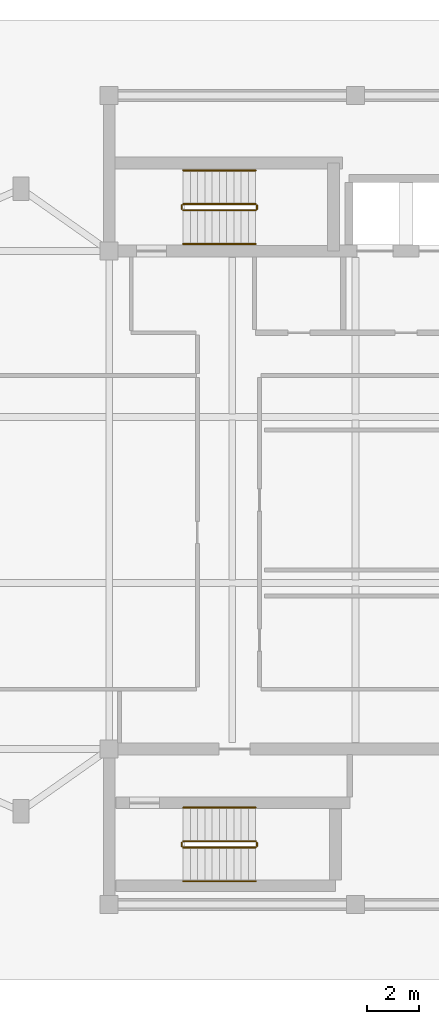
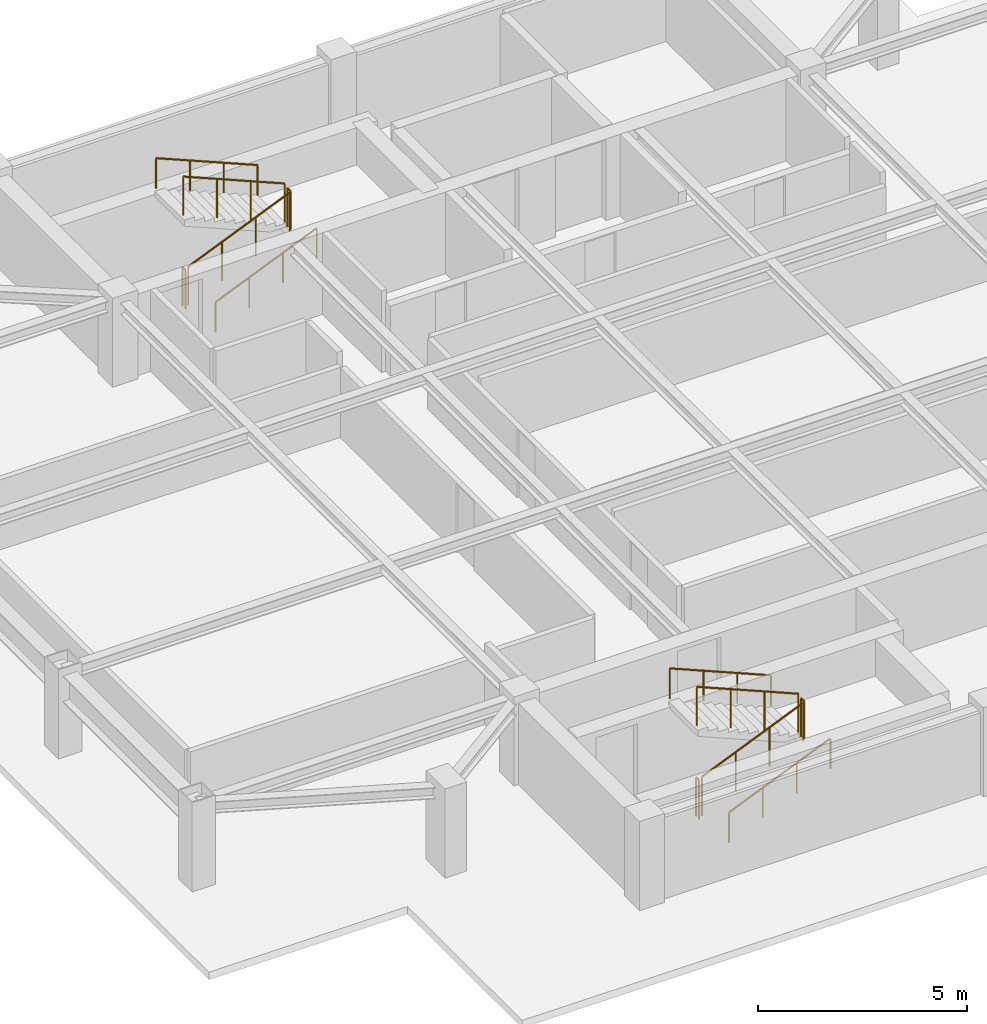
# One storey, part 4 of 4: 12 railings.
"""IFC4 building model written with IfcOpenShell, lengths in metres."""

from ifc_helpers import new_model, si_unit, direction, frame, origin, origin_2d, place, context, subcontext, project, spatial, circle, extrude, material, type_object, element, save


model = new_model("IFC4")

# Units and contexts
model_context = context("Model", 3, precision=1e-05, world=origin(), true_north=direction((0.0, 1.0)))
body_context = subcontext(model_context, "Body", "Model", "MODEL_VIEW")
ifc_project = project(units=[si_unit("LENGTHUNIT", "METRE"), si_unit("AREAUNIT", "SQUARE_METRE"), si_unit("VOLUMEUNIT", "CUBIC_METRE"), si_unit("PLANEANGLEUNIT", "RADIAN"), si_unit("MASSUNIT", "GRAM", prefix="KILO")], contexts=[model_context])

# Site, building, storey
site_placement = place(None, origin())
site = spatial("IfcSite", under=ifc_project, at=site_placement, CompositionType="ELEMENT")
building_placement = place(site_placement, origin())
building = spatial("IfcBuilding", under=site, at=building_placement, Name="Mirazonda Arch Towers", CompositionType="ELEMENT")
storey_placement = place(building_placement, frame((0.0, 0.0, 268.699951171875)))
storey = spatial("IfcBuildingStorey", under=building, at=storey_placement, Name="L77", CompositionType="ELEMENT", Elevation=268.699951171875)

# Railings
ifc_material = material(Name="Architectural Brushed Steel S355", Category="steel")
railing_type_1 = type_object("IfcRailingType", Name="GUARD-STAIR-1120", PredefinedType="GUARDRAIL", material=ifc_material)
railing_1_placement = place(storey_placement, frame((13.85009765625, 39.169921875, 0.1181640625)))
element("IfcRailing", 1, at=railing_1_placement, inside=storey, type_object=railing_type_1, Name="L77 ST-T1N stair guard 1", PredefinedType="GUARDRAIL", context=body_context, shape_type="SweptSolid", body=[
    extrude(circle(Radius=0.02392578125, at=origin_2d()), frame((0.0, 0.0, 1.1259765625), z_axis=(0.921279625293, 0.0, 0.388900825431), x_axis=(0.0, 1.0, 0.0)), (0.0, 0.0, 1.0), 3.0390625),
    extrude(circle(Radius=0.02099609375, at=origin_2d()), origin(), (0.0, 0.0, 1.0), 1.101806640625),
    extrude(circle(Radius=0.02099609375, at=origin_2d()), frame((0.933349609375, 0.0, 0.39404296875)), (0.0, 0.0, 1.0), 1.101806640625),
    extrude(circle(Radius=0.02099609375, at=origin_2d()), frame((1.866455078125, 0.0, 0.787841796875)), (0.0, 0.0, 1.0), 1.101806640625),
    extrude(circle(Radius=0.02099609375, at=origin_2d()), frame((2.7998046875, 0.0, 1.181884765625)), (0.0, 0.0, 1.0), 1.101806640625),
])
railing_2_placement = place(storey_placement, frame((16.699951171875, 39.219970703125, 1.300048828125)))
element("IfcRailing", 2, at=railing_2_placement, inside=storey, type_object=railing_type_1, Name="L77 ST-T1N stair guard 2", PredefinedType="GUARDRAIL", context=body_context, shape_type="SweptSolid", body=[
    extrude(circle(Radius=0.02392578125, at=origin_2d()), frame((0.0, 0.0, 1.1259765625), z_axis=(0.0, 1.0, 0.0), x_axis=(-1.0, 0.0, 0.0)), (0.0, 0.0, 1.0), 0.14013671875),
    extrude(circle(Radius=0.02099609375, at=origin_2d()), origin(), (0.0, 0.0, 1.0), 1.101806640625),
    extrude(circle(Radius=0.02099609375, at=origin_2d()), frame((0.0, 0.14013671875, 0.0)), (0.0, 0.0, 1.0), 1.101806640625),
])
railing_3_placement = place(storey_placement, frame((16.64990234375, 39.409912109375, 1.418212890625)))
element("IfcRailing", 3, at=railing_3_placement, inside=storey, type_object=railing_type_1, Name="L77 ST-T1N stair guard 3", PredefinedType="GUARDRAIL", context=body_context, shape_type="SweptSolid", body=[
    extrude(circle(Radius=0.02392578125, at=origin_2d()), frame((0.0, 0.0, 1.1259765625), z_axis=(-0.921279625293, 0.0, 0.388900825431), x_axis=(0.0, -1.0, 0.0)), (0.0, 0.0, 1.0), 3.0390625),
    extrude(circle(Radius=0.02099609375, at=origin_2d()), origin(), (0.0, 0.0, 1.0), 1.101806640625),
    extrude(circle(Radius=0.02099609375, at=origin_2d()), frame((-0.933349609375, 0.0, 0.39404296875)), (0.0, 0.0, 1.0), 1.101806640625),
    extrude(circle(Radius=0.02099609375, at=origin_2d()), frame((-1.866455078125, 0.0, 0.787841796875)), (0.0, 0.0, 1.0), 1.101806640625),
    extrude(circle(Radius=0.02099609375, at=origin_2d()), frame((-2.7998046875, 0.0, 1.181884765625)), (0.0, 0.0, 1.0), 1.101806640625),
])
railing_4_placement = place(storey_placement, frame((13.800048828125, 39.219970703125, 0.0)))
element("IfcRailing", 4, at=railing_4_placement, inside=storey, type_object=railing_type_1, Name="L77 ST-T1N stair guard 4", PredefinedType="GUARDRAIL", context=body_context, shape_type="SweptSolid", body=[
    extrude(circle(Radius=0.02392578125, at=origin_2d()), frame((0.0, 0.0, 1.1259765625), z_axis=(0.0, 1.0, 0.0), x_axis=(-1.0, 0.0, 0.0)), (0.0, 0.0, 1.0), 0.14013671875),
    extrude(circle(Radius=0.02099609375, at=origin_2d()), origin(), (0.0, 0.0, 1.0), 1.101806640625),
    extrude(circle(Radius=0.02099609375, at=origin_2d()), frame((0.0, 0.14013671875, 0.0)), (0.0, 0.0, 1.0), 1.101806640625),
])
railing_5_placement = place(storey_placement, frame((13.85009765625, 14.60009765625, 0.1181640625)))
element("IfcRailing", 5, at=railing_5_placement, inside=storey, type_object=railing_type_1, Name="L77 ST-T1S stair guard 1", PredefinedType="GUARDRAIL", context=body_context, shape_type="SweptSolid", body=[
    extrude(circle(Radius=0.02392578125, at=origin_2d()), frame((0.0, 0.0, 1.1259765625), z_axis=(0.921279625293, 0.0, 0.388900825431), x_axis=(0.0, 1.0, 0.0)), (0.0, 0.0, 1.0), 3.0390625),
    extrude(circle(Radius=0.02099609375, at=origin_2d()), origin(), (0.0, 0.0, 1.0), 1.101806640625),
    extrude(circle(Radius=0.02099609375, at=origin_2d()), frame((0.933349609375, 0.0, 0.39404296875)), (0.0, 0.0, 1.0), 1.101806640625),
    extrude(circle(Radius=0.02099609375, at=origin_2d()), frame((1.866455078125, 0.0, 0.787841796875)), (0.0, 0.0, 1.0), 1.101806640625),
    extrude(circle(Radius=0.02099609375, at=origin_2d()), frame((2.7998046875, 0.0, 1.181884765625)), (0.0, 0.0, 1.0), 1.101806640625),
])
railing_6_placement = place(storey_placement, frame((16.699951171875, 14.64990234375, 1.300048828125)))
element("IfcRailing", 6, at=railing_6_placement, inside=storey, type_object=railing_type_1, Name="L77 ST-T1S stair guard 2", PredefinedType="GUARDRAIL", context=body_context, shape_type="SweptSolid", body=[
    extrude(circle(Radius=0.02392578125, at=origin_2d()), frame((0.0, 0.0, 1.1259765625), z_axis=(0.0, 1.0, 0.0), x_axis=(-1.0, 0.0, 0.0)), (0.0, 0.0, 1.0), 0.14013671875),
    extrude(circle(Radius=0.02099609375, at=origin_2d()), origin(), (0.0, 0.0, 1.0), 1.101806640625),
    extrude(circle(Radius=0.02099609375, at=origin_2d()), frame((0.0, 0.14013671875, 0.0)), (0.0, 0.0, 1.0), 1.101806640625),
])
railing_7_placement = place(storey_placement, frame((16.64990234375, 14.840087890625, 1.418212890625)))
element("IfcRailing", 7, at=railing_7_placement, inside=storey, type_object=railing_type_1, Name="L77 ST-T1S stair guard 3", PredefinedType="GUARDRAIL", context=body_context, shape_type="SweptSolid", body=[
    extrude(circle(Radius=0.02392578125, at=origin_2d()), frame((0.0, 0.0, 1.1259765625), z_axis=(-0.921279625293, 0.0, 0.388900825431), x_axis=(0.0, -1.0, 0.0)), (0.0, 0.0, 1.0), 3.0390625),
    extrude(circle(Radius=0.02099609375, at=origin_2d()), origin(), (0.0, 0.0, 1.0), 1.101806640625),
    extrude(circle(Radius=0.02099609375, at=origin_2d()), frame((-0.933349609375, 0.0, 0.39404296875)), (0.0, 0.0, 1.0), 1.101806640625),
    extrude(circle(Radius=0.02099609375, at=origin_2d()), frame((-1.866455078125, 0.0, 0.787841796875)), (0.0, 0.0, 1.0), 1.101806640625),
    extrude(circle(Radius=0.02099609375, at=origin_2d()), frame((-2.7998046875, 0.0, 1.181884765625)), (0.0, 0.0, 1.0), 1.101806640625),
])
railing_8_placement = place(storey_placement, frame((13.800048828125, 14.64990234375, 0.0)))
element("IfcRailing", 8, at=railing_8_placement, inside=storey, type_object=railing_type_1, Name="L77 ST-T1S stair guard 4", PredefinedType="GUARDRAIL", context=body_context, shape_type="SweptSolid", body=[
    extrude(circle(Radius=0.02392578125, at=origin_2d()), frame((0.0, 0.0, 1.1259765625), z_axis=(0.0, 1.0, 0.0), x_axis=(-1.0, 0.0, 0.0)), (0.0, 0.0, 1.0), 0.14013671875),
    extrude(circle(Radius=0.02099609375, at=origin_2d()), origin(), (0.0, 0.0, 1.0), 1.101806640625),
    extrude(circle(Radius=0.02099609375, at=origin_2d()), frame((0.0, 0.14013671875, 0.0)), (0.0, 0.0, 1.0), 1.101806640625),
])
railing_type_2 = type_object("IfcRailingType", Name="HANDRAIL-915", PredefinedType="HANDRAIL", material=ifc_material)
railing_9_placement = place(storey_placement, frame((13.85009765625, 37.8701171875, 0.1181640625)))
element("IfcRailing", 9, at=railing_9_placement, inside=storey, type_object=railing_type_2, Name="L77 ST-T1N stair handrail 1", PredefinedType="HANDRAIL", context=body_context, shape_type="SweptSolid", body=[
    extrude(circle(Radius=0.02392578125, at=origin_2d()), frame((0.0, 0.0, 0.8759765625), z_axis=(0.921279625293, 0.0, 0.388900825431), x_axis=(0.0, 1.0, 0.0)), (0.0, 0.0, 1.0), 3.0390625),
    extrude(circle(Radius=0.02099609375, at=origin_2d()), origin(), (0.0, 0.0, 1.0), 0.851806640625),
    extrude(circle(Radius=0.02099609375, at=origin_2d()), frame((0.933349609375, 0.0, 0.39404296875)), (0.0, 0.0, 1.0), 0.851806640625),
    extrude(circle(Radius=0.02099609375, at=origin_2d()), frame((1.866455078125, 0.0, 0.787841796875)), (0.0, 0.0, 1.0), 0.851806640625),
    extrude(circle(Radius=0.02099609375, at=origin_2d()), frame((2.7998046875, 0.0, 1.181884765625)), (0.0, 0.0, 1.0), 0.851806640625),
])
railing_10_placement = place(storey_placement, frame((16.64990234375, 40.7099609375, 1.418212890625)))
element("IfcRailing", 10, at=railing_10_placement, inside=storey, type_object=railing_type_2, Name="L77 ST-T1N stair handrail 2", PredefinedType="HANDRAIL", context=body_context, shape_type="SweptSolid", body=[
    extrude(circle(Radius=0.02392578125, at=origin_2d()), frame((0.0, 0.0, 0.8759765625), z_axis=(-0.921279625293, 0.0, 0.388900825431), x_axis=(0.0, -1.0, 0.0)), (0.0, 0.0, 1.0), 3.0390625),
    extrude(circle(Radius=0.02099609375, at=origin_2d()), origin(), (0.0, 0.0, 1.0), 0.851806640625),
    extrude(circle(Radius=0.02099609375, at=origin_2d()), frame((-0.933349609375, 0.0, 0.39404296875)), (0.0, 0.0, 1.0), 0.851806640625),
    extrude(circle(Radius=0.02099609375, at=origin_2d()), frame((-1.866455078125, 0.0, 0.787841796875)), (0.0, 0.0, 1.0), 0.851806640625),
    extrude(circle(Radius=0.02099609375, at=origin_2d()), frame((-2.7998046875, 0.0, 1.181884765625)), (0.0, 0.0, 1.0), 0.851806640625),
])
railing_11_placement = place(storey_placement, frame((13.85009765625, 13.300048828125, 0.1181640625)))
element("IfcRailing", 11, at=railing_11_placement, inside=storey, type_object=railing_type_2, Name="L77 ST-T1S stair handrail 1", PredefinedType="HANDRAIL", context=body_context, shape_type="SweptSolid", body=[
    extrude(circle(Radius=0.02392578125, at=origin_2d()), frame((0.0, 0.0, 0.8759765625), z_axis=(0.921279625293, 0.0, 0.388900825431), x_axis=(0.0, 1.0, 0.0)), (0.0, 0.0, 1.0), 3.0390625),
    extrude(circle(Radius=0.02099609375, at=origin_2d()), origin(), (0.0, 0.0, 1.0), 0.851806640625),
    extrude(circle(Radius=0.02099609375, at=origin_2d()), frame((0.933349609375, 0.0, 0.39404296875)), (0.0, 0.0, 1.0), 0.851806640625),
    extrude(circle(Radius=0.02099609375, at=origin_2d()), frame((1.866455078125, 0.0, 0.787841796875)), (0.0, 0.0, 1.0), 0.851806640625),
    extrude(circle(Radius=0.02099609375, at=origin_2d()), frame((2.7998046875, 0.0, 1.181884765625)), (0.0, 0.0, 1.0), 0.851806640625),
])
railing_12_placement = place(storey_placement, frame((16.64990234375, 16.139892578125, 1.418212890625)))
element("IfcRailing", 12, at=railing_12_placement, inside=storey, type_object=railing_type_2, Name="L77 ST-T1S stair handrail 2", PredefinedType="HANDRAIL", context=body_context, shape_type="SweptSolid", body=[
    extrude(circle(Radius=0.02392578125, at=origin_2d()), frame((0.0, 0.0, 0.8759765625), z_axis=(-0.921279625293, 0.0, 0.388900825431), x_axis=(0.0, -1.0, 0.0)), (0.0, 0.0, 1.0), 3.0390625),
    extrude(circle(Radius=0.02099609375, at=origin_2d()), origin(), (0.0, 0.0, 1.0), 0.851806640625),
    extrude(circle(Radius=0.02099609375, at=origin_2d()), frame((-0.933349609375, 0.0, 0.39404296875)), (0.0, 0.0, 1.0), 0.851806640625),
    extrude(circle(Radius=0.02099609375, at=origin_2d()), frame((-1.866455078125, 0.0, 0.787841796875)), (0.0, 0.0, 1.0), 0.851806640625),
    extrude(circle(Radius=0.02099609375, at=origin_2d()), frame((-2.7998046875, 0.0, 1.181884765625)), (0.0, 0.0, 1.0), 0.851806640625),
])

save(model, "model.ifc")
